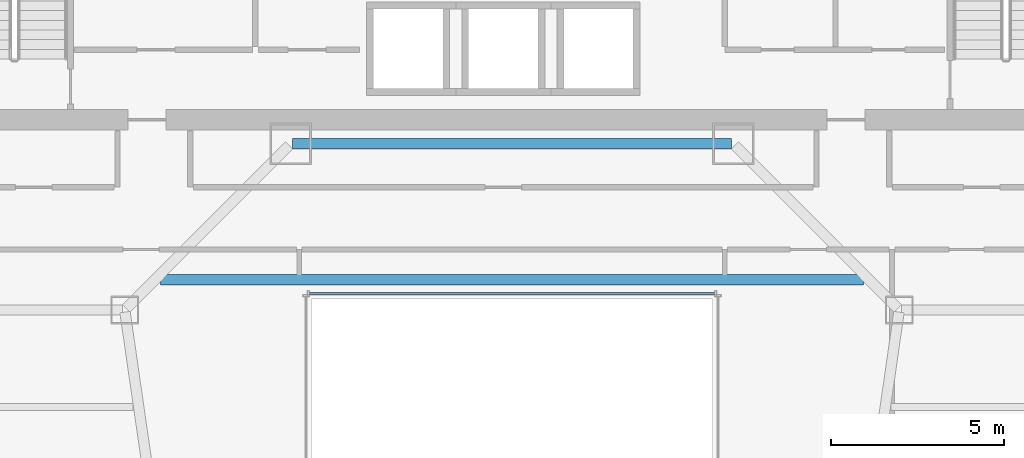
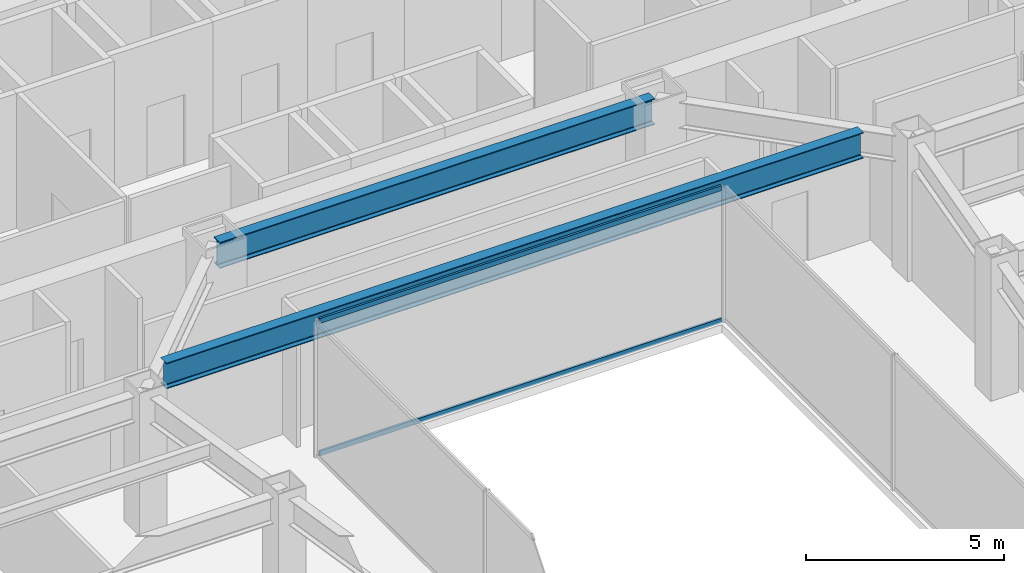
# One storey, part 25 of 47: 2 beams, 2 members, 1 element without a shape of its own.
"""IFC4 building model written with IfcOpenShell, lengths in metres."""

from ifc_helpers import new_model, si_unit, direction, frame, origin, origin_2d, place, context, subcontext, project, spatial, hollow_rectangle, i_section, extrude, material, material_profile, profile_set, type_object, element, aggregate, save


model = new_model("IFC4")

# Units and contexts
model_context = context("Model", 3, precision=1e-05, world=origin(), true_north=direction((0.0, 1.0)))
body_context = subcontext(model_context, "Body", "Model", "MODEL_VIEW")
ifc_project = project(units=[si_unit("LENGTHUNIT", "METRE"), si_unit("AREAUNIT", "SQUARE_METRE"), si_unit("VOLUMEUNIT", "CUBIC_METRE"), si_unit("PLANEANGLEUNIT", "RADIAN"), si_unit("MASSUNIT", "GRAM", prefix="KILO")], contexts=[model_context])

# Site, building, storey
site_placement = place(None, origin())
site = spatial("IfcSite", under=ifc_project, at=site_placement, CompositionType="ELEMENT")
building_placement = place(site_placement, origin())
building = spatial("IfcBuilding", under=site, at=building_placement, Name="Saevonmaru Cultural Tower", CompositionType="ELEMENT")
storey_placement = place(building_placement, frame((0.0, 0.0, 60.39990234375)))
storey = spatial("IfcBuildingStorey", under=building, at=storey_placement, Name="L12", CompositionType="ELEMENT", Elevation=60.39990234375)

# Beams
ifc_material_1 = material(Name="Steel SM420", Category="steel")
ifc_material_profile_1 = material_profile(ifc_material_1, i_section(OverallWidth=0.300048828125, OverallDepth=0.800048828125, WebThickness=0.013916015625, FlangeThickness=0.02587890625, FilletRadius=0.028076171875, at=origin_2d()), Name="H-800x300x14x26")
ifc_profile_set_1 = profile_set([ifc_material_profile_1], Name="Steel SM420")
beam_type = type_object("IfcBeamType", Name="BM-G-H800", PredefinedType="BEAM", material=ifc_profile_set_1)
beam_1_placement = place(storey_placement, frame((23.659912109375, 42.39990234375, 3.75), z_axis=(1.0, 0.0, 0.0), x_axis=(0.0, 1.0, 0.0)))
element("IfcBeam", 1, at=beam_1_placement, inside=storey, type_object=beam_type, Name="L12 Core South Girder 3", PredefinedType="BEAM", context=body_context, shape_type="SweptSolid", body=[
    extrude(i_section(OverallWidth=0.300048828125, OverallDepth=0.800048828125, WebThickness=0.013916015625, FlangeThickness=0.02587890625, FilletRadius=0.028076171875, at=origin_2d()), origin(), (0.0, 0.0, 1.0), 12.68017578125),
])
beam_2_placement = place(storey_placement, frame((19.844482421875, 38.47998046875, 3.75), z_axis=(1.0, 0.0, 0.0), x_axis=(0.0, 1.0, 0.0)))
element("IfcBeam", 2, at=beam_2_placement, inside=storey, type_object=beam_type, Name="L12 Central Link Girder", PredefinedType="BEAM", context=body_context, shape_type="SweptSolid", body=[
    extrude(i_section(OverallWidth=0.300048828125, OverallDepth=0.800048828125, WebThickness=0.013916015625, FlangeThickness=0.02587890625, FilletRadius=0.028076171875, at=origin_2d()), origin(), (0.0, 0.0, 1.0), 20.31103515625),
])

# Curtain wall, members
ifc_material_2 = material(Name="Satin Bronze Anodised Aluminium", Category="aluminium")
curtain_wall_type = type_object("IfcCurtainWallType", Name="CW-ATR-GLZ", PredefinedType="NOTDEFINED", material=ifc_material_2)
curtain_wall_placement = place(storey_placement, origin())
curtain_wall = element("IfcCurtainWall", 3, at=curtain_wall_placement, inside=storey, type_object=curtain_wall_type, Name="L12 Vertical Atrium Glazed Smoke Screen 3", PredefinedType="NOTDEFINED")
ifc_material_profile_2 = material_profile(ifc_material_2, hollow_rectangle(XDim=0.06494140625, YDim=0.14990234375, WallThickness=0.00390625, at=origin_2d()), Name="ALU-TRAN-150x65x4")
ifc_profile_set_2 = profile_set([ifc_material_profile_2], Name="Satin Bronze Anodised Aluminium")
member_type = type_object("IfcMemberType", Name="TR-CW-INT-150x65", PredefinedType="USERDEFINED", material=ifc_profile_set_2)
member_1_placement = place(storey_placement, frame((35.857421875, 38.070068359375, 0.03271484375), z_axis=(-1.0, 0.0, 0.0), x_axis=(0.0, -1.0, 0.0)))
member_1 = element("IfcMember", 4, at=member_1_placement, type_object=member_type, Name="CW-ATR-L12-3 transom 1.1", ObjectType="TRANSOM", PredefinedType="USERDEFINED", context=body_context, shape_type="SweptSolid", body=[
    extrude(hollow_rectangle(XDim=0.06494140625, YDim=0.14990234375, WallThickness=0.00390625, at=origin_2d()), origin(), (0.0, 0.0, 1.0), 11.71484375),
])
member_2_placement = place(storey_placement, frame((35.857421875, 38.070068359375, 4.11767578125), z_axis=(-1.0, 0.0, 0.0), x_axis=(0.0, -1.0, 0.0)))
member_2 = element("IfcMember", 5, at=member_2_placement, type_object=member_type, Name="CW-ATR-L12-3 transom 1.2", ObjectType="TRANSOM", PredefinedType="USERDEFINED", context=body_context, shape_type="SweptSolid", body=[
    extrude(hollow_rectangle(XDim=0.06494140625, YDim=0.14990234375, WallThickness=0.00390625, at=origin_2d()), origin(), (0.0, 0.0, 1.0), 11.71484375),
])
aggregate(curtain_wall, [member_1, member_2])

save(model, "model.ifc")
